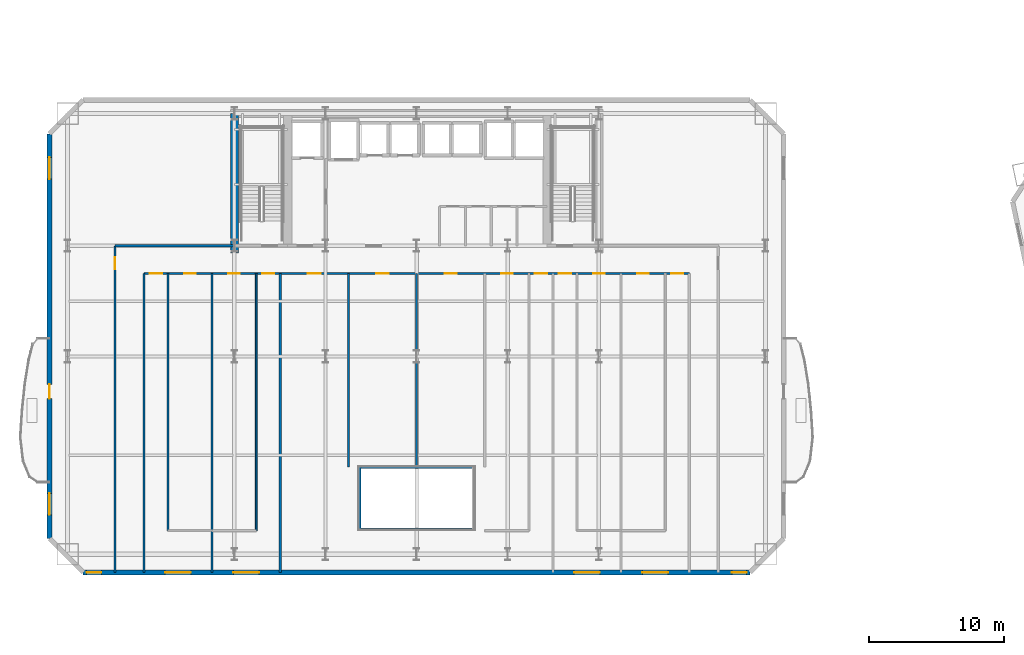
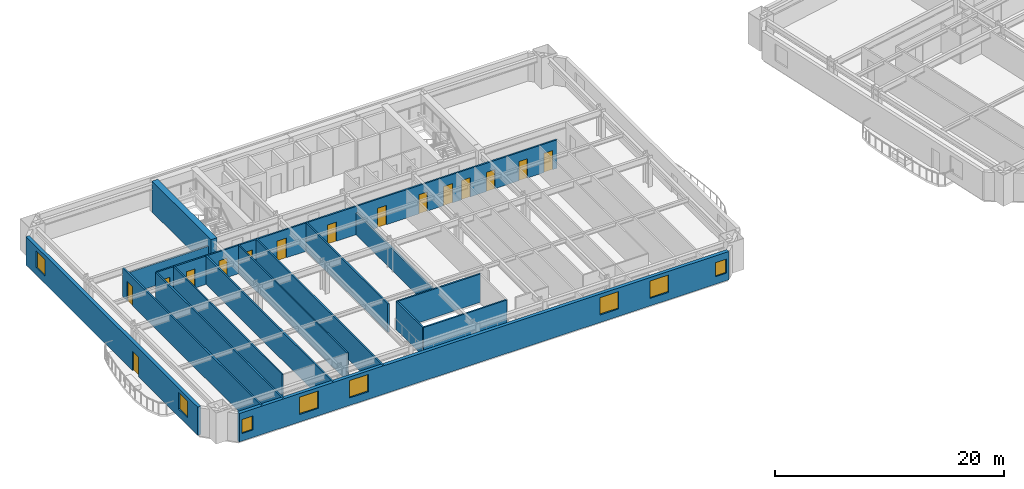
# One storey, part 5 of 17: 16 walls, 15 doors, 8 windows, 23 openings.
"""IFC4 building model written with IfcOpenShell, lengths in metres."""

from ifc_helpers import new_model, si_unit, direction, frame, frame_2d, origin, place, context, subcontext, project, spatial, rectangle, extrude, material, layer, layer_set, type_object, element, fill, save


model = new_model("IFC4")

# Units and contexts
model_context = context("Model", 3, precision=1e-05, world=origin(), true_north=direction((0.0, 1.0)))
body_context = subcontext(model_context, "Body", "Model", "MODEL_VIEW")
ifc_project = project(units=[si_unit("LENGTHUNIT", "METRE"), si_unit("AREAUNIT", "SQUARE_METRE"), si_unit("VOLUMEUNIT", "CUBIC_METRE"), si_unit("PLANEANGLEUNIT", "RADIAN"), si_unit("MASSUNIT", "GRAM", prefix="KILO")], contexts=[model_context])

# Site, building, storey
site_placement = place(None, origin())
site = spatial("IfcSite", under=ifc_project, at=site_placement, CompositionType="ELEMENT")
building_placement = place(site_placement, origin())
building = spatial("IfcBuilding", under=site, at=building_placement, Name="Haevon Station Towers", CompositionType="ELEMENT")
storey_placement = place(building_placement, frame((0.0, 0.0, 37.199951171875)))
storey = spatial("IfcBuildingStorey", under=building, at=storey_placement, Name="L08", CompositionType="ELEMENT", Elevation=37.199951171875)

# Wall
ifc_material_1 = material(Name="Concrete C60/75", Category="concrete")
ifc_layer_1 = layer(ifc_material_1, 0.60009765625)
ifc_layer_set_1 = layer_set([ifc_layer_1], Name="Concrete C60/75")
wall_type_1 = type_object("IfcWallType", Name="WL-CR600", PredefinedType="SHEAR", material=ifc_layer_set_1)
wall_1_placement = place(storey_placement, frame((24.0, 37.679931640625, 0.0), z_axis=(0.0, 0.0, 1.0), x_axis=(0.0, 1.0, 0.0)))
element("IfcWall", 1, at=wall_1_placement, inside=storey, type_object=wall_type_1, Name="WL-T1CR-L08-W", PredefinedType="SHEAR", context=body_context, shape_type="SweptSolid", body=[
    extrude(rectangle(XDim=10.320068359375, YDim=0.60009765625, at=frame_2d((5.16015625, 0.0))), origin(), (0.0, 0.0, 1.0), 3.300048828125),
])

# Wall, openings, windows
ifc_material_2 = material(Name="Precast concrete C45/55", Category="concrete")
ifc_layer_2 = layer(ifc_material_2, 0.340087890625)
ifc_layer_set_2 = layer_set([ifc_layer_2], Name="Precast concrete C45/55")
wall_type_2 = type_object("IfcWallType", Name="WL-EXT-PIER340", PredefinedType="SOLIDWALL", material=ifc_layer_set_2)
wall_2_placement = place(storey_placement, frame((62.199951171875, 14.0, 0.0), z_axis=(0.0, 0.0, 1.0), x_axis=(-1.0, 0.0, 0.0)))
wall_2 = element("IfcWall", 2, at=wall_2_placement, inside=storey, type_object=wall_type_2, Name="WL-T1-L08-S", PredefinedType="SOLIDWALL", context=body_context, shape_type="SweptSolid", body=[
    extrude(rectangle(XDim=49.39990234375, YDim=0.340087890625, at=frame_2d((24.699951171875, 0.0))), origin(), (0.0, 0.0, 1.0), 3.030029296875),
])
opening_1_placement = place(wall_2_placement, frame((48.050048828125, 0.0, 0.800048828125)))
opening_1 = element("IfcOpeningElement", 3, at=opening_1_placement, cuts=wall_2, Name="Opening WN-COR110", PredefinedType="OPENING", context=body_context, shape_type="SweptSolid", body=[
    extrude(rectangle(XDim=1.10009765625, YDim=1.5, at=frame_2d((0.550048828125, 0.75))), frame((0.0, 0.179931640625, 0.0), z_axis=(0.0, -1.0, 0.0), x_axis=(1.0, 0.0, 0.0)), (0.0, 0.0, 1.0), 0.360107421875),
])
opening_2_placement = place(wall_2_placement, frame((0.25, 0.0, 0.800048828125)))
opening_2 = element("IfcOpeningElement", 4, at=opening_2_placement, cuts=wall_2, Name="Opening WN-COR110", PredefinedType="OPENING", context=body_context, shape_type="SweptSolid", body=[
    extrude(rectangle(XDim=1.10009765625, YDim=1.5, at=frame_2d((0.550048828125, 0.75))), frame((0.0, 0.179931640625, 0.0), z_axis=(0.0, -1.0, 0.0), x_axis=(1.0, 0.0, 0.0)), (0.0, 0.0, 1.0), 0.360107421875),
])
opening_3_placement = place(wall_2_placement, frame((41.425048828125, 0.0, 0.800048828125)))
opening_3 = element("IfcOpeningElement", 5, at=opening_3_placement, cuts=wall_2, Name="Opening WN-P190", PredefinedType="OPENING", context=body_context, shape_type="SweptSolid", body=[
    extrude(rectangle(XDim=1.89990234375, YDim=1.85009765625, at=frame_2d((0.949951171875, 0.925048828125))), frame((0.0, 0.179931640625, 0.0), z_axis=(0.0, -1.0, 0.0), x_axis=(1.0, 0.0, 0.0)), (0.0, 0.0, 1.0), 0.360107421875),
])
opening_4_placement = place(wall_2_placement, frame((36.375, 0.0, 0.800048828125)))
opening_4 = element("IfcOpeningElement", 6, at=opening_4_placement, cuts=wall_2, Name="Opening WN-P190", PredefinedType="OPENING", context=body_context, shape_type="SweptSolid", body=[
    extrude(rectangle(XDim=1.89990234375, YDim=1.85009765625, at=frame_2d((0.949951171875, 0.925048828125))), frame((0.0, 0.179931640625, 0.0), z_axis=(0.0, -1.0, 0.0), x_axis=(1.0, 0.0, 0.0)), (0.0, 0.0, 1.0), 0.360107421875),
])
opening_5_placement = place(wall_2_placement, frame((11.125, 0.0, 0.800048828125)))
opening_5 = element("IfcOpeningElement", 7, at=opening_5_placement, cuts=wall_2, Name="Opening WN-P190", PredefinedType="OPENING", context=body_context, shape_type="SweptSolid", body=[
    extrude(rectangle(XDim=1.89990234375, YDim=1.85009765625, at=frame_2d((0.949951171875, 0.925048828125))), frame((0.0, 0.179931640625, 0.0), z_axis=(0.0, -1.0, 0.0), x_axis=(1.0, 0.0, 0.0)), (0.0, 0.0, 1.0), 0.360107421875),
])
opening_6_placement = place(wall_2_placement, frame((6.074951171875, 0.0, 0.800048828125)))
opening_6 = element("IfcOpeningElement", 8, at=opening_6_placement, cuts=wall_2, Name="Opening WN-P190", PredefinedType="OPENING", context=body_context, shape_type="SweptSolid", body=[
    extrude(rectangle(XDim=1.89990234375, YDim=1.85009765625, at=frame_2d((0.949951171875, 0.925048828125))), frame((0.0, 0.179931640625, 0.0), z_axis=(0.0, -1.0, 0.0), x_axis=(1.0, 0.0, 0.0)), (0.0, 0.0, 1.0), 0.360107421875),
])
ifc_material_3 = material(Name="Low-E triple glazing in thermally broken aluminium", Category="aluminium")
window_type_1 = type_object("IfcWindowType", Name="WN-COR110", PartitioningType="SINGLE_PANEL", PredefinedType="WINDOW", material=ifc_material_3)
window_1_placement = place(opening_1_placement, origin())
window_1 = element("IfcWindow", 9, at=window_1_placement, inside=storey, type_object=window_type_1, Name="WN-T1-L08-S01", OverallHeight=1.5, OverallWidth=1.10009765625, PartitioningType="SINGLE_PANEL", PredefinedType="WINDOW", context=body_context, shape_type="SweptSolid", body=[
    extrude(rectangle(XDim=1.10009765625, YDim=1.5, at=frame_2d((0.550048828125, 0.75))), frame((0.0, 0.030029296875, 0.0), z_axis=(0.0, -1.0, 0.0), x_axis=(1.0, 0.0, 0.0)), (0.0, 0.0, 1.0), 0.06005859375),
])
fill(opening_1, window_1)
window_2_placement = place(opening_2_placement, origin())
window_2 = element("IfcWindow", 10, at=window_2_placement, inside=storey, type_object=window_type_1, Name="WN-T1-L08-S02", OverallHeight=1.5, OverallWidth=1.10009765625, PartitioningType="SINGLE_PANEL", PredefinedType="WINDOW", context=body_context, shape_type="SweptSolid", body=[
    extrude(rectangle(XDim=1.10009765625, YDim=1.5, at=frame_2d((0.550048828125, 0.75))), frame((0.0, 0.030029296875, 0.0), z_axis=(0.0, -1.0, 0.0), x_axis=(1.0, 0.0, 0.0)), (0.0, 0.0, 1.0), 0.06005859375),
])
fill(opening_2, window_2)
window_type_2 = type_object("IfcWindowType", Name="WN-P190", PartitioningType="SINGLE_PANEL", PredefinedType="WINDOW", material=ifc_material_3)
window_3_placement = place(opening_3_placement, origin())
window_3 = element("IfcWindow", 11, at=window_3_placement, inside=storey, type_object=window_type_2, Name="WN-T1-L08-S03", OverallHeight=1.85009765625, OverallWidth=1.89990234375, PartitioningType="SINGLE_PANEL", PredefinedType="WINDOW", context=body_context, shape_type="SweptSolid", body=[
    extrude(rectangle(XDim=1.89990234375, YDim=1.85009765625, at=frame_2d((0.949951171875, 0.925048828125))), frame((0.0, 0.030029296875, 0.0), z_axis=(0.0, -1.0, 0.0), x_axis=(1.0, 0.0, 0.0)), (0.0, 0.0, 1.0), 0.06005859375),
])
fill(opening_3, window_3)
window_4_placement = place(opening_4_placement, origin())
window_4 = element("IfcWindow", 12, at=window_4_placement, inside=storey, type_object=window_type_2, Name="WN-T1-L08-S04", OverallHeight=1.85009765625, OverallWidth=1.89990234375, PartitioningType="SINGLE_PANEL", PredefinedType="WINDOW", context=body_context, shape_type="SweptSolid", body=[
    extrude(rectangle(XDim=1.89990234375, YDim=1.85009765625, at=frame_2d((0.949951171875, 0.925048828125))), frame((0.0, 0.030029296875, 0.0), z_axis=(0.0, -1.0, 0.0), x_axis=(1.0, 0.0, 0.0)), (0.0, 0.0, 1.0), 0.06005859375),
])
fill(opening_4, window_4)
window_5_placement = place(opening_5_placement, origin())
window_5 = element("IfcWindow", 13, at=window_5_placement, inside=storey, type_object=window_type_2, Name="WN-T1-L08-S05", OverallHeight=1.85009765625, OverallWidth=1.89990234375, PartitioningType="SINGLE_PANEL", PredefinedType="WINDOW", context=body_context, shape_type="SweptSolid", body=[
    extrude(rectangle(XDim=1.89990234375, YDim=1.85009765625, at=frame_2d((0.949951171875, 0.925048828125))), frame((0.0, 0.030029296875, 0.0), z_axis=(0.0, -1.0, 0.0), x_axis=(1.0, 0.0, 0.0)), (0.0, 0.0, 1.0), 0.06005859375),
])
fill(opening_5, window_5)
window_6_placement = place(opening_6_placement, origin())
window_6 = element("IfcWindow", 14, at=window_6_placement, inside=storey, type_object=window_type_2, Name="WN-T1-L08-S06", OverallHeight=1.85009765625, OverallWidth=1.89990234375, PartitioningType="SINGLE_PANEL", PredefinedType="WINDOW", context=body_context, shape_type="SweptSolid", body=[
    extrude(rectangle(XDim=1.89990234375, YDim=1.85009765625, at=frame_2d((0.949951171875, 0.925048828125))), frame((0.0, 0.030029296875, 0.0), z_axis=(0.0, -1.0, 0.0), x_axis=(1.0, 0.0, 0.0)), (0.0, 0.0, 1.0), 0.06005859375),
])
fill(opening_6, window_6)

# Wall, openings, door, windows
wall_3_placement = place(storey_placement, frame((10.300048828125, 16.5, 0.0), z_axis=(0.0, 0.0, 1.0), x_axis=(0.0, 1.0, 0.0)))
wall_3 = element("IfcWall", 15, at=wall_3_placement, inside=storey, type_object=wall_type_2, Name="WL-T1-L08-W", PredefinedType="SOLIDWALL", context=body_context, shape_type="SweptSolid", body=[
    extrude(rectangle(XDim=30.0, YDim=0.340087890625, at=frame_2d((15.0, 0.0))), origin(), (0.0, 0.0, 1.0), 3.030029296875),
])
opening_7_placement = place(wall_3_placement, frame((10.375, 0.0, 0.0)))
opening_7 = element("IfcOpeningElement", 16, at=opening_7_placement, cuts=wall_3, Name="Opening DR-T1-SCAL-L08-W", PredefinedType="OPENING", context=body_context, shape_type="SweptSolid", body=[
    extrude(rectangle(XDim=1.050048828125, YDim=2.10009765625, at=frame_2d((0.52490234375, 1.050048828125))), frame((0.0, 0.179931640625, 0.0), z_axis=(0.0, -1.0, 0.0), x_axis=(1.0, 0.0, 0.0)), (0.0, 0.0, 1.0), 0.360107421875),
])
opening_8_placement = place(wall_3_placement, frame((1.757080078125, 0.0, 0.800048828125)))
opening_8 = element("IfcOpeningElement", 17, at=opening_8_placement, cuts=wall_3, Name="Opening WN-END160", PredefinedType="OPENING", context=body_context, shape_type="SweptSolid", body=[
    extrude(rectangle(XDim=1.60009765625, YDim=1.800048828125, at=frame_2d((0.800048828125, 0.89990234375))), frame((0.0, 0.179931640625, 0.0), z_axis=(0.0, -1.0, 0.0), x_axis=(1.0, 0.0, 0.0)), (0.0, 0.0, 1.0), 0.360107421875),
])
opening_9_placement = place(wall_3_placement, frame((26.642822265625, 0.0, 0.800048828125)))
opening_9 = element("IfcOpeningElement", 18, at=opening_9_placement, cuts=wall_3, Name="Opening WN-END160", PredefinedType="OPENING", context=body_context, shape_type="SweptSolid", body=[
    extrude(rectangle(XDim=1.60009765625, YDim=1.800048828125, at=frame_2d((0.800048828125, 0.89990234375))), frame((0.0, 0.179931640625, 0.0), z_axis=(0.0, -1.0, 0.0), x_axis=(1.0, 0.0, 0.0)), (0.0, 0.0, 1.0), 0.360107421875),
])
ifc_material_4 = material(Name="Thermally broken anodised aluminium and laminated safety glass", Category="aluminium")
door_type_1 = type_object("IfcDoorType", Name="DR-BALC-1050", OperationType="NOTDEFINED", PredefinedType="DOOR", material=ifc_material_4)
door_1_placement = place(opening_7_placement, origin())
door_1 = element("IfcDoor", 19, at=door_1_placement, inside=storey, type_object=door_type_1, Name="Tower 1 L08 West Scalloped Balcony Door", OperationType="SINGLE_SWING_RIGHT", OverallHeight=2.10009765625, OverallWidth=1.050048828125, PredefinedType="DOOR", context=body_context, shape_type="SweptSolid", body=[
    extrude(rectangle(XDim=1.050048828125, YDim=2.10009765625, at=frame_2d((0.52490234375, 1.050048828125))), frame((0.0, 0.02490234375, 0.0), z_axis=(0.0, -1.0, 0.0), x_axis=(1.0, 0.0, 0.0)), (0.0, 0.0, 1.0), 0.050048828125),
])
fill(opening_7, door_1)
window_type_3 = type_object("IfcWindowType", Name="WN-END160", PartitioningType="SINGLE_PANEL", PredefinedType="WINDOW", material=ifc_material_3)
window_7_placement = place(opening_8_placement, origin())
window_7 = element("IfcWindow", 20, at=window_7_placement, inside=storey, type_object=window_type_3, Name="WN-T1-L08-W01", OverallHeight=1.800048828125, OverallWidth=1.60009765625, PartitioningType="SINGLE_PANEL", PredefinedType="WINDOW", context=body_context, shape_type="SweptSolid", body=[
    extrude(rectangle(XDim=1.60009765625, YDim=1.800048828125, at=frame_2d((0.800048828125, 0.89990234375))), frame((0.0, 0.030029296875, 0.0), z_axis=(0.0, -1.0, 0.0), x_axis=(1.0, 0.0, 0.0)), (0.0, 0.0, 1.0), 0.06005859375),
])
fill(opening_8, window_7)
window_8_placement = place(opening_9_placement, origin())
window_8 = element("IfcWindow", 21, at=window_8_placement, inside=storey, type_object=window_type_3, Name="WN-T1-L08-W02", OverallHeight=1.800048828125, OverallWidth=1.60009765625, PartitioningType="SINGLE_PANEL", PredefinedType="WINDOW", context=body_context, shape_type="SweptSolid", body=[
    extrude(rectangle(XDim=1.60009765625, YDim=1.800048828125, at=frame_2d((0.800048828125, 0.89990234375))), frame((0.0, 0.030029296875, 0.0), z_axis=(0.0, -1.0, 0.0), x_axis=(1.0, 0.0, 0.0)), (0.0, 0.0, 1.0), 0.06005859375),
])
fill(opening_9, window_8)

# Walls
ifc_material_5 = material(Name="Gypsum board on steel stud", Category="steel")
ifc_layer_3 = layer(ifc_material_5, 0.125)
ifc_layer_set_3 = layer_set([ifc_layer_3], Name="Gypsum board on steel stud")
wall_type_3 = type_object("IfcWallType", Name="WL-PRT125", PredefinedType="PARTITIONING", material=ifc_layer_set_3)
wall_4_placement = place(storey_placement, frame((25.6201171875, 17.10009765625, 0.0), z_axis=(0.0, 0.0, 1.0), x_axis=(0.0, 1.0, 0.0)))
element("IfcWall", 22, at=wall_4_placement, inside=storey, type_object=wall_type_3, Name="WL-T1PT-L08-15", PredefinedType="PARTITIONING", context=body_context, shape_type="SweptSolid", body=[
    extrude(rectangle(XDim=19.0498046875, YDim=0.125, at=frame_2d((9.52490234375, 0.0))), origin(), (0.0, 0.0, 1.0), 3.030029296875),
])
ifc_layer_4 = layer(ifc_material_5, 0.139892578125)
ifc_layer_set_4 = layer_set([ifc_layer_4], Name="Gypsum board on steel stud")
wall_type_4 = type_object("IfcWallType", Name="WL-PRT140", PredefinedType="PARTITIONING", material=ifc_layer_set_4)
wall_5_placement = place(storey_placement, frame((19.080078125, 17.10009765625, 0.0), z_axis=(0.0, 0.0, 1.0), x_axis=(0.0, 1.0, 0.0)))
element("IfcWall", 23, at=wall_5_placement, inside=storey, type_object=wall_type_4, Name="WL-T1PT-L08-12", PredefinedType="PARTITIONING", context=body_context, shape_type="SweptSolid", body=[
    extrude(rectangle(XDim=19.0498046875, YDim=0.139892578125, at=frame_2d((9.52490234375, 0.0))), origin(), (0.0, 0.0, 1.0), 3.030029296875),
])
ifc_layer_5 = layer(ifc_material_5, 0.159912109375)
ifc_layer_set_5 = layer_set([ifc_layer_5], Name="Gypsum board on steel stud")
wall_type_5 = type_object("IfcWallType", Name="WL-PRT160", PredefinedType="PARTITIONING", material=ifc_layer_set_5)
wall_6_placement = place(storey_placement, frame((17.300048828125, 14.0, 0.0), z_axis=(0.0, 0.0, 1.0), x_axis=(0.0, 1.0, 0.0)))
element("IfcWall", 24, at=wall_6_placement, inside=storey, type_object=wall_type_5, Name="WL-T1PT-L08-01", PredefinedType="PARTITIONING", context=body_context, shape_type="SweptSolid", body=[
    extrude(rectangle(XDim=22.14990234375, YDim=0.159912109375, at=frame_2d((11.074951171875, 0.0))), origin(), (0.0, 0.0, 1.0), 3.030029296875),
])
wall_7_placement = place(storey_placement, frame((15.14990234375, 38.199951171875, 0.0), z_axis=(0.0, 0.0, 1.0), x_axis=(1.0, 0.0, 0.0)))
element("IfcWall", 25, at=wall_7_placement, inside=storey, type_object=wall_type_5, Name="WL-T1PT-L08-03", PredefinedType="PARTITIONING", context=body_context, shape_type="SweptSolid", body=[
    extrude(rectangle(XDim=8.85009765625, YDim=0.159912109375, at=frame_2d((4.425048828125, 0.0))), origin(), (0.0, 0.0, 1.0), 2.330078125),
])

# Wall, opening, door
wall_8_placement = place(storey_placement, frame((15.14990234375, 14.0, 0.0), z_axis=(0.0, 0.0, 1.0), x_axis=(0.0, 1.0, 0.0)))
wall_8 = element("IfcWall", 26, at=wall_8_placement, inside=storey, type_object=wall_type_5, Name="WL-T1PT-L08-05", PredefinedType="PARTITIONING", context=body_context, shape_type="SweptSolid", body=[
    extrude(rectangle(XDim=24.199951171875, YDim=0.159912109375, at=frame_2d((12.10009765625, 0.0))), origin(), (0.0, 0.0, 1.0), 3.030029296875),
])
opening_10_placement = place(wall_8_placement, frame((22.469970703125, 0.0, 0.0)))
opening_10 = element("IfcOpeningElement", 27, at=opening_10_placement, cuts=wall_8, Name="Opening DR-WL-T1PT-L08-05-01", PredefinedType="OPENING", context=body_context, shape_type="SweptSolid", body=[
    extrude(rectangle(XDim=0.89990234375, YDim=2.050048828125, at=frame_2d((0.449951171875, 1.02490234375))), frame((0.0, 0.08984375, 0.0), z_axis=(0.0, -1.0, 0.0), x_axis=(1.0, 0.0, 0.0)), (0.0, 0.0, 1.0), 0.179931640625),
])
ifc_material_6 = material(Name="Engineered oak timber", Category="wood")
door_type_2 = type_object("IfcDoorType", Name="DR-INT-900", OperationType="NOTDEFINED", PredefinedType="DOOR", material=ifc_material_6)
door_2_placement = place(opening_10_placement, origin())
door_2 = element("IfcDoor", 28, at=door_2_placement, inside=storey, type_object=door_type_2, Name="L08 Tower 1 Room Door 5-1", OperationType="SINGLE_SWING_RIGHT", OverallHeight=2.050048828125, OverallWidth=0.89990234375, PredefinedType="DOOR", context=body_context, shape_type="SweptSolid", body=[
    extrude(rectangle(XDim=0.89990234375, YDim=2.050048828125, at=frame_2d((0.449951171875, 1.02490234375))), frame((0.0, 0.02490234375, 0.0), z_axis=(0.0, -1.0, 0.0), x_axis=(1.0, 0.0, 0.0)), (0.0, 0.0, 1.0), 0.050048828125),
])
fill(opening_10, door_2)

# Walls
for number, where, z_axis, x_axis, name in (
    (29, (33.300048828125, 17.199951171875, 0.0), (0.0, 0.0, 1.0), (1.0, 0.0, 0.0), "WL-T1PT-L08-07"),
    (30, (33.300048828125, 21.800048828125, 0.0), (0.0, 0.0, 1.0), (1.0, 0.0, 0.0), "WL-T1PT-L08-08"),
):
    element("IfcWall", number, at=place(storey_placement, frame(where, z_axis=z_axis, x_axis=x_axis)), inside=storey, type_object=wall_type_5, Name=name, PredefinedType="PARTITIONING", context=body_context, shape_type="SweptSolid", body=[
        extrude(rectangle(XDim=8.39990234375, YDim=0.159912109375, at=frame_2d((4.199951171875, 0.0))), origin(), (0.0, 0.0, 1.0), 3.030029296875),
    ])
wall_9_placement = place(storey_placement, frame((33.300048828125, 17.199951171875, 0.0), z_axis=(0.0, 0.0, 1.0), x_axis=(0.0, 1.0, 0.0)))
element("IfcWall", 31, at=wall_9_placement, inside=storey, type_object=wall_type_5, Name="WL-T1PT-L08-09", PredefinedType="PARTITIONING", context=body_context, shape_type="SweptSolid", body=[
    extrude(rectangle(XDim=4.60009765625, YDim=0.159912109375, at=frame_2d((2.300048828125, 0.0))), origin(), (0.0, 0.0, 1.0), 3.030029296875),
])
for number, where, z_axis, x_axis, name in (
    (32, (22.35009765625, 14.0, 0.0), (0.0, 0.0, 1.0), (0.0, 1.0, 0.0), "WL-T1PT-L08-13"),
    (33, (27.39990234375, 14.0, 0.0), (0.0, 0.0, 1.0), (0.0, 1.0, 0.0), "WL-T1PT-L08-16"),
):
    element("IfcWall", number, at=place(storey_placement, frame(where, z_axis=z_axis, x_axis=x_axis)), inside=storey, type_object=wall_type_5, Name=name, PredefinedType="PARTITIONING", context=body_context, shape_type="SweptSolid", body=[
        extrude(rectangle(XDim=22.14990234375, YDim=0.159912109375, at=frame_2d((11.074951171875, 0.0))), origin(), (0.0, 0.0, 1.0), 3.030029296875),
    ])
wall_10_placement = place(storey_placement, frame((32.449951171875, 21.800048828125, 0.0), z_axis=(0.0, 0.0, 1.0), x_axis=(0.0, 1.0, 0.0)))
element("IfcWall", 34, at=wall_10_placement, inside=storey, type_object=wall_type_5, Name="WL-T1PT-L08-17", PredefinedType="PARTITIONING", context=body_context, shape_type="SweptSolid", body=[
    extrude(rectangle(XDim=14.349853515625, YDim=0.159912109375, at=frame_2d((7.1748046875, 0.0))), origin(), (0.0, 0.0, 1.0), 3.030029296875),
])
wall_11_placement = place(storey_placement, frame((37.5, 21.800048828125, 0.0), z_axis=(0.0, 0.0, 1.0), x_axis=(0.0, 1.0, 0.0)))
element("IfcWall", 35, at=wall_11_placement, inside=storey, type_object=wall_type_5, Name="WL-T1PT-L08-18", PredefinedType="PARTITIONING", context=body_context, shape_type="SweptSolid", body=[
    extrude(rectangle(XDim=14.349853515625, YDim=0.159912109375, at=frame_2d((7.1748046875, 0.0))), origin(), (0.0, 0.0, 1.0), 2.330078125),
])

# Wall, openings, doors
wall_12_placement = place(storey_placement, frame((17.300048828125, 36.14990234375, 0.0), z_axis=(0.0, 0.0, 1.0), x_axis=(1.0, 0.0, 0.0)))
wall_12 = element("IfcWall", 36, at=wall_12_placement, inside=storey, type_object=wall_type_5, Name="WL-T1PT-L08-30", PredefinedType="PARTITIONING", context=body_context, shape_type="SweptSolid", body=[
    extrude(rectangle(XDim=40.39990234375, YDim=0.159912109375, at=frame_2d((20.199951171875, 0.0))), origin(), (0.0, 0.0, 1.0), 3.030029296875),
])
opening_11_placement = place(wall_12_placement, frame((2.989990234375, 0.0, 0.0)))
opening_11 = element("IfcOpeningElement", 37, at=opening_11_placement, cuts=wall_12, Name="Opening DR-WL-T1PT-L08-30-01", PredefinedType="OPENING", context=body_context, shape_type="SweptSolid", body=[
    extrude(rectangle(XDim=0.85009765625, YDim=2.050048828125, at=frame_2d((0.425048828125, 1.02490234375))), frame((0.0, 0.08984375, 0.0), z_axis=(0.0, -1.0, 0.0), x_axis=(1.0, 0.0, 0.0)), (0.0, 0.0, 1.0), 0.179931640625),
])
opening_12_placement = place(wall_12_placement, frame((0.43994140625, 0.0, 0.0)))
opening_12 = element("IfcOpeningElement", 38, at=opening_12_placement, cuts=wall_12, Name="Opening DR-WL-T1PT-L08-30-02", PredefinedType="OPENING", context=body_context, shape_type="SweptSolid", body=[
    extrude(rectangle(XDim=0.89990234375, YDim=2.050048828125, at=frame_2d((0.449951171875, 1.02490234375))), frame((0.0, 0.08984375, 0.0), z_axis=(0.0, -1.0, 0.0), x_axis=(1.0, 0.0, 0.0)), (0.0, 0.0, 1.0), 0.179931640625),
])
opening_13_placement = place(wall_12_placement, frame((6.260009765625, 0.0, 0.0)))
opening_13 = element("IfcOpeningElement", 39, at=opening_13_placement, cuts=wall_12, Name="Opening DR-WL-T1PT-L08-30-03", PredefinedType="OPENING", context=body_context, shape_type="SweptSolid", body=[
    extrude(rectangle(XDim=0.85009765625, YDim=2.050048828125, at=frame_2d((0.425048828125, 1.02490234375))), frame((0.0, 0.08984375, 0.0), z_axis=(0.0, -1.0, 0.0), x_axis=(1.0, 0.0, 0.0)), (0.0, 0.0, 1.0), 0.179931640625),
])
opening_14_placement = place(wall_12_placement, frame((8.760009765625, 0.0, 0.0)))
opening_14 = element("IfcOpeningElement", 40, at=opening_14_placement, cuts=wall_12, Name="Opening DR-WL-T1PT-L08-30-04", PredefinedType="OPENING", context=body_context, shape_type="SweptSolid", body=[
    extrude(rectangle(XDim=0.89990234375, YDim=2.050048828125, at=frame_2d((0.449951171875, 1.02490234375))), frame((0.0, 0.08984375, 0.0), z_axis=(0.0, -1.0, 0.0), x_axis=(1.0, 0.0, 0.0)), (0.0, 0.0, 1.0), 0.179931640625),
])
opening_15_placement = place(wall_12_placement, frame((12.14990234375, 0.0, 0.0)))
opening_15 = element("IfcOpeningElement", 41, at=opening_15_placement, cuts=wall_12, Name="Opening DR-WL-T1PT-L08-30-05", PredefinedType="OPENING", context=body_context, shape_type="SweptSolid", body=[
    extrude(rectangle(XDim=0.949951171875, YDim=2.10009765625, at=frame_2d((0.47509765625, 1.050048828125))), frame((0.0, 0.08984375, 0.0), z_axis=(0.0, -1.0, 0.0), x_axis=(1.0, 0.0, 0.0)), (0.0, 0.0, 1.0), 0.179931640625),
])
opening_16_placement = place(wall_12_placement, frame((17.22509765625, 0.0, 0.0)))
opening_16 = element("IfcOpeningElement", 42, at=opening_16_placement, cuts=wall_12, Name="Opening DR-WL-T1PT-L08-30-06", PredefinedType="OPENING", context=body_context, shape_type="SweptSolid", body=[
    extrude(rectangle(XDim=0.89990234375, YDim=2.050048828125, at=frame_2d((0.449951171875, 1.02490234375))), frame((0.0, 0.08984375, 0.0), z_axis=(0.0, -1.0, 0.0), x_axis=(1.0, 0.0, 0.0)), (0.0, 0.0, 1.0), 0.179931640625),
])
opening_17_placement = place(wall_12_placement, frame((22.27490234375, 0.0, 0.0)))
opening_17 = element("IfcOpeningElement", 43, at=opening_17_placement, cuts=wall_12, Name="Opening DR-WL-T1PT-L08-30-07", PredefinedType="OPENING", context=body_context, shape_type="SweptSolid", body=[
    extrude(rectangle(XDim=0.89990234375, YDim=2.050048828125, at=frame_2d((0.449951171875, 1.02490234375))), frame((0.0, 0.08984375, 0.0), z_axis=(0.0, -1.0, 0.0), x_axis=(1.0, 0.0, 0.0)), (0.0, 0.0, 1.0), 0.179931640625),
])
opening_18_placement = place(wall_12_placement, frame((26.4599609375, 0.0, 0.0)))
opening_18 = element("IfcOpeningElement", 44, at=opening_18_placement, cuts=wall_12, Name="Opening DR-WL-T1PT-L08-30-08", PredefinedType="OPENING", context=body_context, shape_type="SweptSolid", body=[
    extrude(rectangle(XDim=0.85009765625, YDim=2.050048828125, at=frame_2d((0.425048828125, 1.02490234375))), frame((0.0, 0.08984375, 0.0), z_axis=(0.0, -1.0, 0.0), x_axis=(1.0, 0.0, 0.0)), (0.0, 0.0, 1.0), 0.179931640625),
])
opening_19_placement = place(wall_12_placement, frame((28.9599609375, 0.0, 0.0)))
opening_19 = element("IfcOpeningElement", 45, at=opening_19_placement, cuts=wall_12, Name="Opening DR-WL-T1PT-L08-30-09", PredefinedType="OPENING", context=body_context, shape_type="SweptSolid", body=[
    extrude(rectangle(XDim=0.89990234375, YDim=2.050048828125, at=frame_2d((0.449951171875, 1.02490234375))), frame((0.0, 0.08984375, 0.0), z_axis=(0.0, -1.0, 0.0), x_axis=(1.0, 0.0, 0.0)), (0.0, 0.0, 1.0), 0.179931640625),
])
opening_20_placement = place(wall_12_placement, frame((33.2900390625, 0.0, 0.0)))
opening_20 = element("IfcOpeningElement", 46, at=opening_20_placement, cuts=wall_12, Name="Opening DR-WL-T1PT-L08-30-10", PredefinedType="OPENING", context=body_context, shape_type="SweptSolid", body=[
    extrude(rectangle(XDim=0.85009765625, YDim=2.050048828125, at=frame_2d((0.425048828125, 1.02490234375))), frame((0.0, 0.08984375, 0.0), z_axis=(0.0, -1.0, 0.0), x_axis=(1.0, 0.0, 0.0)), (0.0, 0.0, 1.0), 0.179931640625),
])
opening_21_placement = place(wall_12_placement, frame((30.739990234375, 0.0, 0.0)))
opening_21 = element("IfcOpeningElement", 47, at=opening_21_placement, cuts=wall_12, Name="Opening DR-WL-T1PT-L08-30-11", PredefinedType="OPENING", context=body_context, shape_type="SweptSolid", body=[
    extrude(rectangle(XDim=0.89990234375, YDim=2.050048828125, at=frame_2d((0.449951171875, 1.02490234375))), frame((0.0, 0.08984375, 0.0), z_axis=(0.0, -1.0, 0.0), x_axis=(1.0, 0.0, 0.0)), (0.0, 0.0, 1.0), 0.179931640625),
])
opening_22_placement = place(wall_12_placement, frame((36.56005859375, 0.0, 0.0)))
opening_22 = element("IfcOpeningElement", 48, at=opening_22_placement, cuts=wall_12, Name="Opening DR-WL-T1PT-L08-30-12", PredefinedType="OPENING", context=body_context, shape_type="SweptSolid", body=[
    extrude(rectangle(XDim=0.85009765625, YDim=2.050048828125, at=frame_2d((0.425048828125, 1.02490234375))), frame((0.0, 0.08984375, 0.0), z_axis=(0.0, -1.0, 0.0), x_axis=(1.0, 0.0, 0.0)), (0.0, 0.0, 1.0), 0.179931640625),
])
opening_23_placement = place(wall_12_placement, frame((39.06005859375, 0.0, 0.0)))
opening_23 = element("IfcOpeningElement", 49, at=opening_23_placement, cuts=wall_12, Name="Opening DR-WL-T1PT-L08-30-13", PredefinedType="OPENING", context=body_context, shape_type="SweptSolid", body=[
    extrude(rectangle(XDim=0.89990234375, YDim=2.050048828125, at=frame_2d((0.449951171875, 1.02490234375))), frame((0.0, 0.08984375, 0.0), z_axis=(0.0, -1.0, 0.0), x_axis=(1.0, 0.0, 0.0)), (0.0, 0.0, 1.0), 0.179931640625),
])
door_type_3 = type_object("IfcDoorType", Name="DR-FD30-850", OperationType="NOTDEFINED", PredefinedType="DOOR", material=ifc_material_6)
door_3_placement = place(opening_11_placement, origin())
door_3 = element("IfcDoor", 50, at=door_3_placement, inside=storey, type_object=door_type_3, Name="L08 Tower 1 Room Door 30-1", OperationType="SINGLE_SWING_RIGHT", OverallHeight=2.050048828125, OverallWidth=0.85009765625, PredefinedType="DOOR", context=body_context, shape_type="SweptSolid", body=[
    extrude(rectangle(XDim=0.85009765625, YDim=2.050048828125, at=frame_2d((0.425048828125, 1.02490234375))), frame((0.0, 0.02490234375, 0.0), z_axis=(0.0, -1.0, 0.0), x_axis=(1.0, 0.0, 0.0)), (0.0, 0.0, 1.0), 0.050048828125),
])
fill(opening_11, door_3)
door_4_placement = place(opening_13_placement, origin())
door_4 = element("IfcDoor", 51, at=door_4_placement, inside=storey, type_object=door_type_3, Name="L08 Tower 1 Room Door 30-3", OperationType="SINGLE_SWING_RIGHT", OverallHeight=2.050048828125, OverallWidth=0.85009765625, PredefinedType="DOOR", context=body_context, shape_type="SweptSolid", body=[
    extrude(rectangle(XDim=0.85009765625, YDim=2.050048828125, at=frame_2d((0.425048828125, 1.02490234375))), frame((0.0, 0.02490234375, 0.0), z_axis=(0.0, -1.0, 0.0), x_axis=(1.0, 0.0, 0.0)), (0.0, 0.0, 1.0), 0.050048828125),
])
fill(opening_13, door_4)
door_5_placement = place(opening_18_placement, origin())
door_5 = element("IfcDoor", 52, at=door_5_placement, inside=storey, type_object=door_type_3, Name="L08 Tower 1 Room Door 30-8", OperationType="SINGLE_SWING_LEFT", OverallHeight=2.050048828125, OverallWidth=0.85009765625, PredefinedType="DOOR", context=body_context, shape_type="SweptSolid", body=[
    extrude(rectangle(XDim=0.85009765625, YDim=2.050048828125, at=frame_2d((0.425048828125, 1.02490234375))), frame((0.0, 0.02490234375, 0.0), z_axis=(0.0, -1.0, 0.0), x_axis=(1.0, 0.0, 0.0)), (0.0, 0.0, 1.0), 0.050048828125),
])
fill(opening_18, door_5)
door_6_placement = place(opening_20_placement, origin())
door_6 = element("IfcDoor", 53, at=door_6_placement, inside=storey, type_object=door_type_3, Name="L08 Tower 1 Room Door 30-10", OperationType="SINGLE_SWING_LEFT", OverallHeight=2.050048828125, OverallWidth=0.85009765625, PredefinedType="DOOR", context=body_context, shape_type="SweptSolid", body=[
    extrude(rectangle(XDim=0.85009765625, YDim=2.050048828125, at=frame_2d((0.425048828125, 1.02490234375))), frame((0.0, 0.02490234375, 0.0), z_axis=(0.0, -1.0, 0.0), x_axis=(1.0, 0.0, 0.0)), (0.0, 0.0, 1.0), 0.050048828125),
])
fill(opening_20, door_6)
door_7_placement = place(opening_22_placement, origin())
door_7 = element("IfcDoor", 54, at=door_7_placement, inside=storey, type_object=door_type_3, Name="L08 Tower 1 Room Door 30-12", OperationType="SINGLE_SWING_LEFT", OverallHeight=2.050048828125, OverallWidth=0.85009765625, PredefinedType="DOOR", context=body_context, shape_type="SweptSolid", body=[
    extrude(rectangle(XDim=0.85009765625, YDim=2.050048828125, at=frame_2d((0.425048828125, 1.02490234375))), frame((0.0, 0.02490234375, 0.0), z_axis=(0.0, -1.0, 0.0), x_axis=(1.0, 0.0, 0.0)), (0.0, 0.0, 1.0), 0.050048828125),
])
fill(opening_22, door_7)
door_type_4 = type_object("IfcDoorType", Name="DR-FD30-950", OperationType="NOTDEFINED", PredefinedType="DOOR", material=ifc_material_6)
door_8_placement = place(opening_15_placement, origin())
door_8 = element("IfcDoor", 55, at=door_8_placement, inside=storey, type_object=door_type_4, Name="L08 Tower 1 Room Door 30-5", OperationType="SINGLE_SWING_RIGHT", OverallHeight=2.10009765625, OverallWidth=0.949951171875, PredefinedType="DOOR", context=body_context, shape_type="SweptSolid", body=[
    extrude(rectangle(XDim=0.949951171875, YDim=2.10009765625, at=frame_2d((0.47509765625, 1.050048828125))), frame((0.0, 0.02490234375, 0.0), z_axis=(0.0, -1.0, 0.0), x_axis=(1.0, 0.0, 0.0)), (0.0, 0.0, 1.0), 0.050048828125),
])
fill(opening_15, door_8)
door_9_placement = place(opening_12_placement, origin())
door_9 = element("IfcDoor", 56, at=door_9_placement, inside=storey, type_object=door_type_2, Name="L08 Tower 1 Room Door 30-2", OperationType="SINGLE_SWING_LEFT", OverallHeight=2.050048828125, OverallWidth=0.89990234375, PredefinedType="DOOR", context=body_context, shape_type="SweptSolid", body=[
    extrude(rectangle(XDim=0.89990234375, YDim=2.050048828125, at=frame_2d((0.449951171875, 1.02490234375))), frame((0.0, 0.02490234375, 0.0), z_axis=(0.0, -1.0, 0.0), x_axis=(1.0, 0.0, 0.0)), (0.0, 0.0, 1.0), 0.050048828125),
])
fill(opening_12, door_9)
door_10_placement = place(opening_14_placement, origin())
door_10 = element("IfcDoor", 57, at=door_10_placement, inside=storey, type_object=door_type_2, Name="L08 Tower 1 Room Door 30-4", OperationType="SINGLE_SWING_LEFT", OverallHeight=2.050048828125, OverallWidth=0.89990234375, PredefinedType="DOOR", context=body_context, shape_type="SweptSolid", body=[
    extrude(rectangle(XDim=0.89990234375, YDim=2.050048828125, at=frame_2d((0.449951171875, 1.02490234375))), frame((0.0, 0.02490234375, 0.0), z_axis=(0.0, -1.0, 0.0), x_axis=(1.0, 0.0, 0.0)), (0.0, 0.0, 1.0), 0.050048828125),
])
fill(opening_14, door_10)
door_11_placement = place(opening_16_placement, origin())
door_11 = element("IfcDoor", 58, at=door_11_placement, inside=storey, type_object=door_type_2, Name="L08 Tower 1 Room Door 30-6", OperationType="SINGLE_SWING_LEFT", OverallHeight=2.050048828125, OverallWidth=0.89990234375, PredefinedType="DOOR", context=body_context, shape_type="SweptSolid", body=[
    extrude(rectangle(XDim=0.89990234375, YDim=2.050048828125, at=frame_2d((0.449951171875, 1.02490234375))), frame((0.0, 0.02490234375, 0.0), z_axis=(0.0, -1.0, 0.0), x_axis=(1.0, 0.0, 0.0)), (0.0, 0.0, 1.0), 0.050048828125),
])
fill(opening_16, door_11)
door_12_placement = place(opening_17_placement, origin())
door_12 = element("IfcDoor", 59, at=door_12_placement, inside=storey, type_object=door_type_2, Name="L08 Tower 1 Room Door 30-7", OperationType="SINGLE_SWING_RIGHT", OverallHeight=2.050048828125, OverallWidth=0.89990234375, PredefinedType="DOOR", context=body_context, shape_type="SweptSolid", body=[
    extrude(rectangle(XDim=0.89990234375, YDim=2.050048828125, at=frame_2d((0.449951171875, 1.02490234375))), frame((0.0, 0.02490234375, 0.0), z_axis=(0.0, -1.0, 0.0), x_axis=(1.0, 0.0, 0.0)), (0.0, 0.0, 1.0), 0.050048828125),
])
fill(opening_17, door_12)
door_13_placement = place(opening_19_placement, origin())
door_13 = element("IfcDoor", 60, at=door_13_placement, inside=storey, type_object=door_type_2, Name="L08 Tower 1 Room Door 30-9", OperationType="SINGLE_SWING_RIGHT", OverallHeight=2.050048828125, OverallWidth=0.89990234375, PredefinedType="DOOR", context=body_context, shape_type="SweptSolid", body=[
    extrude(rectangle(XDim=0.89990234375, YDim=2.050048828125, at=frame_2d((0.449951171875, 1.02490234375))), frame((0.0, 0.02490234375, 0.0), z_axis=(0.0, -1.0, 0.0), x_axis=(1.0, 0.0, 0.0)), (0.0, 0.0, 1.0), 0.050048828125),
])
fill(opening_19, door_13)
door_14_placement = place(opening_21_placement, origin())
door_14 = element("IfcDoor", 61, at=door_14_placement, inside=storey, type_object=door_type_2, Name="L08 Tower 1 Room Door 30-11", OperationType="SINGLE_SWING_RIGHT", OverallHeight=2.050048828125, OverallWidth=0.89990234375, PredefinedType="DOOR", context=body_context, shape_type="SweptSolid", body=[
    extrude(rectangle(XDim=0.89990234375, YDim=2.050048828125, at=frame_2d((0.449951171875, 1.02490234375))), frame((0.0, 0.02490234375, 0.0), z_axis=(0.0, -1.0, 0.0), x_axis=(1.0, 0.0, 0.0)), (0.0, 0.0, 1.0), 0.050048828125),
])
fill(opening_21, door_14)
door_15_placement = place(opening_23_placement, origin())
door_15 = element("IfcDoor", 62, at=door_15_placement, inside=storey, type_object=door_type_2, Name="L08 Tower 1 Room Door 30-13", OperationType="SINGLE_SWING_RIGHT", OverallHeight=2.050048828125, OverallWidth=0.89990234375, PredefinedType="DOOR", context=body_context, shape_type="SweptSolid", body=[
    extrude(rectangle(XDim=0.89990234375, YDim=2.050048828125, at=frame_2d((0.449951171875, 1.02490234375))), frame((0.0, 0.02490234375, 0.0), z_axis=(0.0, -1.0, 0.0), x_axis=(1.0, 0.0, 0.0)), (0.0, 0.0, 1.0), 0.050048828125),
])
fill(opening_23, door_15)

save(model, "model.ifc")
